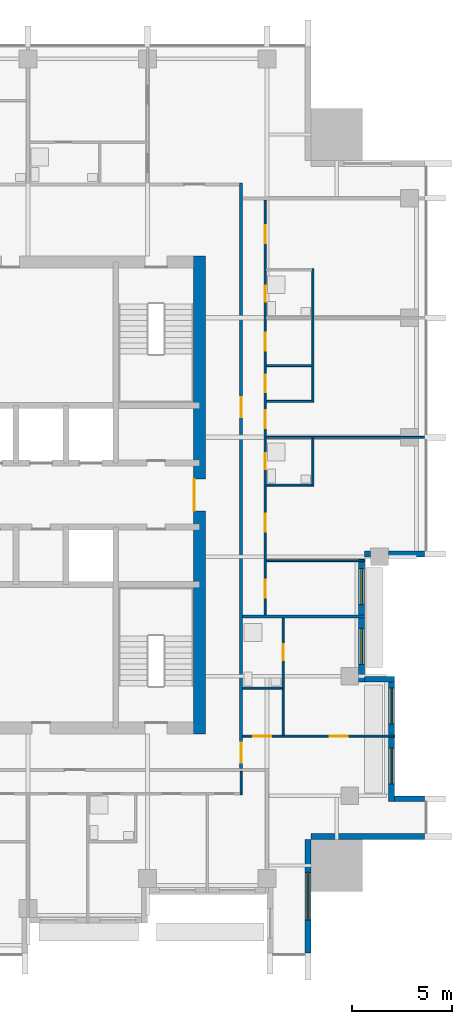
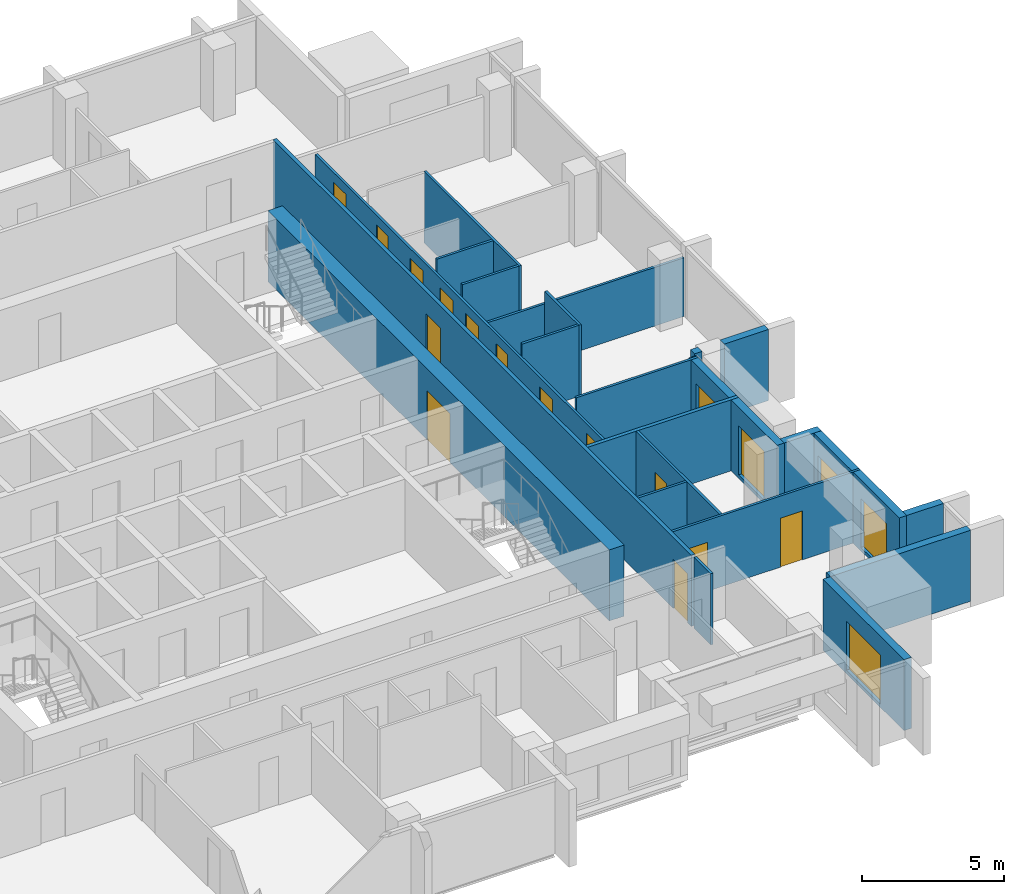
# One storey, part 6 of 10: 23 walls, 14 doors, 5 windows, 19 openings.
"""IFC4 building model written with IfcOpenShell, lengths in metres."""

import ifcopenshell
import ifcopenshell.guid

model = None  # the IFC model being written
_history = None  # IfcOwnerHistory: only IFC2X3 demands one
_inside = {}  # id of a spatial element -> (the spatial element, [elements in it])
_under = {}  # id of a project, library or spatial element -> (it, [spatial elements below it])
_declared = {}  # id of a project -> (the project, [libraries it declares])
_typed = {}  # id of a type object -> (the type object, [elements of that type])
_made_of = {}  # id of a material, layer set ... -> (it, [elements and type objects made of it])


def new_model(schema):
    """Start an empty IFC model of exactly this schema.

    Asked for "IFC4X3", IfcOpenShell would pick the latest addendum, in which some entities
    have other attributes; the version numbers below select the first issue.
    IFC2X3 requires an IfcOwnerHistory on every rooted entity: one is made here for all.
    """
    global model, _history
    if schema == "IFC4X3":
        model = ifcopenshell.file(schema_version=(4, 3, 0, 0))
    else:
        model = ifcopenshell.file(schema=schema)
    _inside.clear()
    _under.clear()
    _declared.clear()
    _typed.clear()
    _made_of.clear()
    _history = None
    if model.schema == "IFC2X3":
        org = make("IfcOrganization", Name="unknown")
        user = make(
            "IfcPersonAndOrganization",
            ThePerson=make("IfcPerson", FamilyName="unknown"),
            TheOrganization=org,
        )
        app = make(
            "IfcApplication",
            ApplicationDeveloper=org,
            Version="unknown",
            ApplicationFullName="unknown",
            ApplicationIdentifier="unknown",
        )
        _history = make(
            "IfcOwnerHistory",
            OwningUser=user,
            OwningApplication=app,
            ChangeAction="ADDED",
            CreationDate=0,
        )
    return model


def make(cls, **values):
    """One entity of the class cls with the attributes given. An attribute that is None is left unset."""
    return model.create_entity(
        cls, **{name: value for name, value in values.items() if value is not None}
    )


def rooted(cls, **values):
    """An entity with a GlobalId (a new one), such as an element, a storey or a relation."""
    return make(cls, GlobalId=ifcopenshell.guid.new(), OwnerHistory=_history, **values)


def si_unit(unit_type, name, prefix=None):
    """IfcSIUnit, for example si_unit("LENGTHUNIT", "METRE", prefix="MILLI")."""
    return make("IfcSIUnit", UnitType=unit_type, Prefix=prefix, Name=name)


def assignment(units):
    """IfcUnitAssignment: the units of a project."""
    return None if units is None else make("IfcUnitAssignment", Units=units)


def point(xyz):
    """IfcCartesianPoint."""
    return None if xyz is None else make("IfcCartesianPoint", Coordinates=xyz)


def direction(xyz):
    """IfcDirection."""
    return None if xyz is None else make("IfcDirection", DirectionRatios=xyz)


def frame(location, z_axis=None, x_axis=None):
    """IfcAxis2Placement3D, a coordinate frame: its origin and axes. An axis left out is left unset."""
    return make(
        "IfcAxis2Placement3D",
        Location=point(location),
        Axis=direction(z_axis),
        RefDirection=direction(x_axis),
    )


def frame_2d(location, x_axis=None):
    """IfcAxis2Placement2D, a coordinate frame in the plane: its origin and x axis."""
    return make(
        "IfcAxis2Placement2D", Location=point(location), RefDirection=direction(x_axis)
    )


def origin():
    """The frame at (0, 0, 0) with its axes left unset."""
    return frame((0.0, 0.0, 0.0))


def place(relative_to, where):
    """IfcLocalPlacement: puts the frame where relative to a parent placement (None: the world)."""
    return make(
        "IfcLocalPlacement", PlacementRelTo=relative_to, RelativePlacement=where
    )


def context(
    kind, dimensions, precision=None, world=None, true_north=None, identifier=None
):
    """IfcGeometricRepresentationContext, for example the 3D "Model" context."""
    return make(
        "IfcGeometricRepresentationContext",
        ContextIdentifier=identifier,
        ContextType=kind,
        CoordinateSpaceDimension=dimensions,
        Precision=precision,
        WorldCoordinateSystem=world,
        TrueNorth=true_north,
    )


def subcontext(parent, identifier, kind, view, scale=None):
    """IfcGeometricRepresentationSubContext, for example "Body" below "Model"."""
    return make(
        "IfcGeometricRepresentationSubContext",
        ContextIdentifier=identifier,
        ContextType=kind,
        ParentContext=parent,
        TargetScale=scale,
        TargetView=view,
    )


def project(units=None, contexts=None):
    """IfcProject with its units and contexts."""
    return rooted(
        "IfcProject",
        Name="project",
        RepresentationContexts=contexts,
        UnitsInContext=assignment(units),
    )


def spatial(cls, under=None, at=None, **own):
    """A site, building, storey or space (cls), placed at a placement, below another one or the project."""
    s = rooted(cls, ObjectPlacement=at, **own)
    if under is not None:
        _under.setdefault(under.id(), (under, []))[1].append(s)
    return s


def profile(cls, at=None, kind="AREA", **sizes):
    """A parametric profile (cls). Its sizes go by their IFC names, for example OverallWidth=200.0."""
    return make(cls, ProfileType=kind, Position=at, **sizes)


def rectangle(**sizes):
    """IfcRectangleProfileDef."""
    return profile("IfcRectangleProfileDef", **sizes)


def extrude(swept, where, along, depth):
    """IfcExtrudedAreaSolid: the profile swept, set in the frame where, extruded along a direction by depth."""
    return make(
        "IfcExtrudedAreaSolid",
        SweptArea=swept,
        Position=where,
        ExtrudedDirection=direction(along),
        Depth=depth,
    )


def shape(context_of_items, identifier, shape_type, items):
    """IfcShapeRepresentation: the items that make up one representation, for example the "Body"."""
    return make(
        "IfcShapeRepresentation",
        ContextOfItems=context_of_items,
        RepresentationIdentifier=identifier,
        RepresentationType=shape_type,
        Items=items,
    )


def material(Name=None, Category=None):
    """IfcMaterial."""
    return make("IfcMaterial", Name=Name, Category=Category)


def layer(
    of_material, thickness, ventilated=None, Name=None, Category=None, Priority=None
):
    """IfcMaterialLayer: one layer of a wall or slab, of a material (None: an air gap)."""
    return make(
        "IfcMaterialLayer",
        Material=of_material,
        LayerThickness=thickness,
        IsVentilated=ventilated,
        Name=Name,
        Category=Category,
        Priority=Priority,
    )


def layer_set(layers, Name=None):
    """IfcMaterialLayerSet."""
    return make("IfcMaterialLayerSet", MaterialLayers=layers, LayerSetName=Name)


def made_of(thing, what):
    """Note that an element or type object is made of a material, layer set ...; save() writes the relation."""
    if what is not None:
        _made_of.setdefault(what.id(), (what, []))[1].append(thing)
    return thing


def type_object(cls, material=None, **own):
    """A type object (cls), such as IfcWallType, which elements share."""
    return made_of(rooted(cls, **own), material)


def element(
    cls,
    number,
    at=None,
    inside=None,
    cuts=None,
    type_object=None,
    material=None,
    context=None,
    identifier="Body",
    shape_type=None,
    held_by="IfcProductDefinitionShape",
    body=None,
    shapes=None,
    **own,
):
    """One element of the class cls, such as IfcWall. Its Tag is "e" and its number.

    at: its placement. inside: the storey or other place that contains it. cuts: it is an
    opening in that element (IfcRelVoidsElement). A single representation is given by context,
    identifier, shape_type and body (its items); several are given by shapes. held_by: the class
    of the entity that holds the representations. save() writes the other relations.
    """
    e = rooted(cls, Tag="e%d" % number, ObjectPlacement=at, **own)
    if body is not None:
        shapes = [shape(context, identifier, shape_type, body)]
    if shapes is not None:
        e.Representation = make(held_by, Representations=shapes)
    if inside is not None:
        _inside.setdefault(inside.id(), (inside, []))[1].append(e)
    if cuts is not None:
        rooted(
            "IfcRelVoidsElement", RelatingBuildingElement=cuts, RelatedOpeningElement=e
        )
    if type_object is not None:
        _typed.setdefault(type_object.id(), (type_object, []))[1].append(e)
    return made_of(e, material)


def fill(opening, filler):
    """IfcRelFillsElement: the door or window that sits in an opening."""
    return rooted(
        "IfcRelFillsElement",
        RelatingOpeningElement=opening,
        RelatedBuildingElement=filler,
    )


def aggregate(whole, parts):
    """IfcRelAggregates: a whole, such as a stair, and the parts it consists of."""
    return rooted("IfcRelAggregates", RelatingObject=whole, RelatedObjects=parts)


def save(model, path):
    """Write the relations noted so far, then the file.

    IfcRelAggregates (storeys below a building ...), IfcRelContainedInSpatialStructure (elements
    in a storey), IfcRelDefinesByType, IfcRelAssociatesMaterial and IfcRelDeclares: one each for
    every whole, place, type object, material and project.
    """
    for whole, parts in _under.values():
        aggregate(whole, parts)
    for where, things in _inside.values():
        rooted(
            "IfcRelContainedInSpatialStructure",
            RelatedElements=things,
            RelatingStructure=where,
        )
    for kind, things in _typed.values():
        rooted("IfcRelDefinesByType", RelatedObjects=things, RelatingType=kind)
    for what, things in _made_of.values():
        rooted("IfcRelAssociatesMaterial", RelatedObjects=things, RelatingMaterial=what)
    for by, libraries in _declared.values():
        rooted("IfcRelDeclares", RelatingContext=by, RelatedDefinitions=libraries)
    model.write(path)


model = new_model("IFC4")

# Units and contexts
model_context = context("Model", 3, precision=1e-05, world=origin(), true_north=direction((0.0, 1.0)))
body_context = subcontext(model_context, "Body", "Model", "MODEL_VIEW")
ifc_project = project(units=[si_unit("LENGTHUNIT", "METRE"), si_unit("AREAUNIT", "SQUARE_METRE"), si_unit("VOLUMEUNIT", "CUBIC_METRE"), si_unit("PLANEANGLEUNIT", "RADIAN"), si_unit("MASSUNIT", "GRAM", prefix="KILO")], contexts=[model_context])

# Site, building, storey
site_placement = place(None, origin())
site = spatial("IfcSite", under=ifc_project, at=site_placement, CompositionType="ELEMENT")
building_placement = place(site_placement, origin())
building = spatial("IfcBuilding", under=site, at=building_placement, Name="Amberfall Residences", CompositionType="ELEMENT")
storey_placement = place(building_placement, frame((0.0, 0.0, 203.5)))
storey = spatial("IfcBuildingStorey", under=building, at=storey_placement, Name="L54", CompositionType="ELEMENT", Elevation=203.5)

# Wall, opening, window
ifc_material_1 = material(Name="Pale stone cladding on insulated backing", Category="masonry")
ifc_layer_1 = layer(ifc_material_1, 0.300048828125)
ifc_layer_set_1 = layer_set([ifc_layer_1], Name="Bronze clad wall 300")
wall_type_1 = type_object("IfcWallType", Name="Bronze clad wall 300", PredefinedType="SOLIDWALL", material=ifc_layer_set_1)
wall_1_placement = place(storey_placement, frame((91.64990234375, 22.5, 0.0), z_axis=(0.0, 0.0, 1.0), x_axis=(0.0, 1.0, 0.0)))
wall_1 = element("IfcWall", 1, at=wall_1_placement, inside=storey, type_object=wall_type_1, Name="External wall L54 SE", PredefinedType="SOLIDWALL", context=body_context, shape_type="SweptSolid", body=[
    extrude(rectangle(XDim=5.699951171875, YDim=0.300048828125, at=frame_2d((2.85009765625, 0.0))), origin(), (0.0, 0.0, 1.0), 3.050048828125),
])
opening_1_placement = place(wall_1_placement, frame((1.64990234375, 0.0, 0.14990234375)))
opening_1 = element("IfcOpeningElement", 2, at=opening_1_placement, cuts=wall_1, Name="Opening WN5", PredefinedType="OPENING", context=body_context, shape_type="SweptSolid", body=[
    extrude(rectangle(XDim=2.39990234375, YDim=2.10009765625, at=frame_2d((1.199951171875, 1.050048828125))), frame((0.0, 0.159912109375, 0.0), z_axis=(0.0, -1.0, 0.0), x_axis=(1.0, 0.0, 0.0)), (0.0, 0.0, 1.0), 0.320068359375),
])
ifc_material_2 = material(Name="Bronze aluminium framed glazing", Category="aluminium")
window_type_1 = type_object("IfcWindowType", Name="Glazed opening 2400 x 2100 bronze", PartitioningType="DOUBLE_PANEL_VERTICAL", PredefinedType="WINDOW", material=ifc_material_2)
window_1_placement = place(opening_1_placement, origin())
window_1 = element("IfcWindow", 3, at=window_1_placement, inside=storey, type_object=window_type_1, Name="Window L54 SE", OverallHeight=2.10009765625, OverallWidth=2.39990234375, PartitioningType="DOUBLE_PANEL_VERTICAL", PredefinedType="WINDOW", context=body_context, shape_type="SweptSolid", body=[
    extrude(rectangle(XDim=2.39990234375, YDim=2.10009765625, at=frame_2d((1.199951171875, 1.050048828125))), frame((0.0, 0.030029296875, 0.0), z_axis=(0.0, -1.0, 0.0), x_axis=(1.0, 0.0, 0.0)), (0.0, 0.0, 1.0), 0.06005859375),
])
fill(opening_1, window_1)

# Walls
wall_2_placement = place(storey_placement, frame((91.800048828125, 28.35009765625, 0.0), z_axis=(0.0, 0.0, 1.0), x_axis=(1.0, 0.0, 0.0)))
element("IfcWall", 4, at=wall_2_placement, inside=storey, type_object=wall_type_1, Name="External wall L54 SE", PredefinedType="SOLIDWALL", context=body_context, shape_type="SweptSolid", body=[
    extrude(rectangle(XDim=5.699951171875, YDim=0.300048828125, at=frame_2d((2.85009765625, 0.0))), origin(), (0.0, 0.0, 1.0), 3.050048828125),
])
for number, where, z_axis, x_axis, name in (
    (5, (97.5, 30.25, 0.0), (0.0, 0.0, 1.0), (-1.0, 0.0, 0.0), "External wall L54 E"),
    (6, (96.0, 36.25, 0.0), (0.0, 0.0, 1.0), (-1.0, 0.0, 0.0), "External wall L54 E"),
):
    element("IfcWall", number, at=place(storey_placement, frame(where, z_axis=z_axis, x_axis=x_axis)), inside=storey, type_object=wall_type_1, Name=name, PredefinedType="SOLIDWALL", context=body_context, shape_type="SweptSolid", body=[
        extrude(rectangle(XDim=1.5, YDim=0.300048828125, at=frame_2d((0.75, 0.0))), origin(), (0.0, 0.0, 1.0), 3.050048828125),
    ])
wall_3_placement = place(storey_placement, frame((94.5, 42.550048828125, 0.0), z_axis=(0.0, 0.0, 1.0), x_axis=(1.0, 0.0, 0.0)))
element("IfcWall", 7, at=wall_3_placement, inside=storey, type_object=wall_type_1, Name="External wall L54 E", PredefinedType="SOLIDWALL", context=body_context, shape_type="SweptSolid", body=[
    extrude(rectangle(XDim=0.300048828125, YDim=0.300048828125, at=frame_2d((0.14990234375, 0.0))), origin(), (0.0, 0.0, 1.0), 3.050048828125),
])
wall_4_placement = place(storey_placement, frame((95.699951171875, 42.550048828125, 0.0), z_axis=(0.0, 0.0, 1.0), x_axis=(1.0, 0.0, 0.0)))
element("IfcWall", 8, at=wall_4_placement, inside=storey, type_object=wall_type_1, Name="External wall L54 E", PredefinedType="SOLIDWALL", context=body_context, shape_type="SweptSolid", body=[
    extrude(rectangle(XDim=1.800048828125, YDim=0.300048828125, at=frame_2d((0.89990234375, 0.0))), origin(), (0.0, 0.0, 1.0), 3.050048828125),
])

# Wall, openings, windows
wall_5_placement = place(storey_placement, frame((95.85009765625, 30.10009765625, 0.0), z_axis=(0.0, 0.0, 1.0), x_axis=(0.0, 1.0, 0.0)))
wall_5 = element("IfcWall", 9, at=wall_5_placement, inside=storey, type_object=wall_type_1, Name="Stone wall L54 E", PredefinedType="SOLIDWALL", context=body_context, shape_type="SweptSolid", body=[
    extrude(rectangle(XDim=6.0, YDim=0.300048828125, at=frame_2d((3.0, 0.0))), origin(), (0.0, 0.0, 1.0), 3.050048828125),
])
opening_2_placement = place(wall_5_placement, frame((0.89990234375, 0.0, 0.14990234375)))
opening_2 = element("IfcOpeningElement", 10, at=opening_2_placement, cuts=wall_5, Name="Opening WN6", PredefinedType="OPENING", context=body_context, shape_type="SweptSolid", body=[
    extrude(rectangle(XDim=1.800048828125, YDim=2.10009765625, at=frame_2d((0.89990234375, 1.050048828125))), frame((0.0, 0.159912109375, 0.0), z_axis=(0.0, -1.0, 0.0), x_axis=(1.0, 0.0, 0.0)), (0.0, 0.0, 1.0), 0.320068359375),
])
opening_3_placement = place(wall_5_placement, frame((3.89990234375, 0.0, 0.14990234375)))
opening_3 = element("IfcOpeningElement", 11, at=opening_3_placement, cuts=wall_5, Name="Opening WN6", PredefinedType="OPENING", context=body_context, shape_type="SweptSolid", body=[
    extrude(rectangle(XDim=1.800048828125, YDim=2.10009765625, at=frame_2d((0.89990234375, 1.050048828125))), frame((0.0, 0.159912109375, 0.0), z_axis=(0.0, -1.0, 0.0), x_axis=(1.0, 0.0, 0.0)), (0.0, 0.0, 1.0), 0.320068359375),
])
window_type_2 = type_object("IfcWindowType", Name="Glazed opening 1800 x 2100 bronze", PartitioningType="DOUBLE_PANEL_VERTICAL", PredefinedType="WINDOW", material=ifc_material_2)
window_2_placement = place(opening_2_placement, origin())
window_2 = element("IfcWindow", 12, at=window_2_placement, inside=storey, type_object=window_type_2, Name="Window L54 E", OverallHeight=2.10009765625, OverallWidth=1.800048828125, PartitioningType="DOUBLE_PANEL_VERTICAL", PredefinedType="WINDOW", context=body_context, shape_type="SweptSolid", body=[
    extrude(rectangle(XDim=1.800048828125, YDim=2.10009765625, at=frame_2d((0.89990234375, 1.050048828125))), frame((0.0, 0.030029296875, 0.0), z_axis=(0.0, -1.0, 0.0), x_axis=(1.0, 0.0, 0.0)), (0.0, 0.0, 1.0), 0.06005859375),
])
fill(opening_2, window_2)
window_3_placement = place(opening_3_placement, origin())
window_3 = element("IfcWindow", 13, at=window_3_placement, inside=storey, type_object=window_type_2, Name="Window L54 E", OverallHeight=2.10009765625, OverallWidth=1.800048828125, PartitioningType="DOUBLE_PANEL_VERTICAL", PredefinedType="WINDOW", context=body_context, shape_type="SweptSolid", body=[
    extrude(rectangle(XDim=1.800048828125, YDim=2.10009765625, at=frame_2d((0.89990234375, 1.050048828125))), frame((0.0, 0.030029296875, 0.0), z_axis=(0.0, -1.0, 0.0), x_axis=(1.0, 0.0, 0.0)), (0.0, 0.0, 1.0), 0.06005859375),
])
fill(opening_3, window_3)

wall_6_placement = place(storey_placement, frame((94.35009765625, 36.10009765625, 0.0), z_axis=(0.0, 0.0, 1.0), x_axis=(0.0, 1.0, 0.0)))
wall_6 = element("IfcWall", 14, at=wall_6_placement, inside=storey, type_object=wall_type_1, Name="Stone wall L54 E", PredefinedType="SOLIDWALL", context=body_context, shape_type="SweptSolid", body=[
    extrude(rectangle(XDim=6.199951171875, YDim=0.300048828125, at=frame_2d((3.10009765625, 0.0))), origin(), (0.0, 0.0, 1.0), 3.050048828125),
])
opening_4_placement = place(wall_6_placement, frame((0.89990234375, 0.0, 0.14990234375)))
opening_4 = element("IfcOpeningElement", 15, at=opening_4_placement, cuts=wall_6, Name="Opening WN6", PredefinedType="OPENING", context=body_context, shape_type="SweptSolid", body=[
    extrude(rectangle(XDim=1.800048828125, YDim=2.10009765625, at=frame_2d((0.89990234375, 1.050048828125))), frame((0.0, 0.159912109375, 0.0), z_axis=(0.0, -1.0, 0.0), x_axis=(1.0, 0.0, 0.0)), (0.0, 0.0, 1.0), 0.320068359375),
])
opening_5_placement = place(wall_6_placement, frame((3.89990234375, 0.0, 0.14990234375)))
opening_5 = element("IfcOpeningElement", 16, at=opening_5_placement, cuts=wall_6, Name="Opening WN6", PredefinedType="OPENING", context=body_context, shape_type="SweptSolid", body=[
    extrude(rectangle(XDim=1.800048828125, YDim=2.10009765625, at=frame_2d((0.89990234375, 1.050048828125))), frame((0.0, 0.159912109375, 0.0), z_axis=(0.0, -1.0, 0.0), x_axis=(1.0, 0.0, 0.0)), (0.0, 0.0, 1.0), 0.320068359375),
])
window_4_placement = place(opening_4_placement, origin())
window_4 = element("IfcWindow", 17, at=window_4_placement, inside=storey, type_object=window_type_2, Name="Window L54 E", OverallHeight=2.10009765625, OverallWidth=1.800048828125, PartitioningType="DOUBLE_PANEL_VERTICAL", PredefinedType="WINDOW", context=body_context, shape_type="SweptSolid", body=[
    extrude(rectangle(XDim=1.800048828125, YDim=2.10009765625, at=frame_2d((0.89990234375, 1.050048828125))), frame((0.0, 0.030029296875, 0.0), z_axis=(0.0, -1.0, 0.0), x_axis=(1.0, 0.0, 0.0)), (0.0, 0.0, 1.0), 0.06005859375),
])
fill(opening_4, window_4)
window_5_placement = place(opening_5_placement, origin())
window_5 = element("IfcWindow", 18, at=window_5_placement, inside=storey, type_object=window_type_2, Name="Window L54 E", OverallHeight=2.10009765625, OverallWidth=1.800048828125, PartitioningType="DOUBLE_PANEL_VERTICAL", PredefinedType="WINDOW", context=body_context, shape_type="SweptSolid", body=[
    extrude(rectangle(XDim=1.800048828125, YDim=2.10009765625, at=frame_2d((0.89990234375, 1.050048828125))), frame((0.0, 0.030029296875, 0.0), z_axis=(0.0, -1.0, 0.0), x_axis=(1.0, 0.0, 0.0)), (0.0, 0.0, 1.0), 0.06005859375),
])
fill(opening_5, window_5)

# Wall, opening, door
ifc_material_3 = material(Name="Concrete C55", Category="concrete")
ifc_layer_2 = layer(ifc_material_3, 0.60009765625)
ifc_layer_set_2 = layer_set([ifc_layer_2], Name="Core wall 600 C55")
wall_type_2 = type_object("IfcWallType", Name="Core wall 600 C55", PredefinedType="SHEAR", material=ifc_layer_set_2)
wall_7_placement = place(storey_placement, frame((86.199951171875, 33.5, 0.0), z_axis=(0.0, 0.0, 1.0), x_axis=(0.0, 1.0, 0.0)))
wall_7 = element("IfcWall", 19, at=wall_7_placement, inside=storey, type_object=wall_type_2, Name="Core wall RW7 L54 OE", PredefinedType="SHEAR", context=body_context, shape_type="SweptSolid", body=[
    extrude(rectangle(XDim=24.0, YDim=0.60009765625, at=frame_2d((12.0, 0.0))), origin(), (0.0, 0.0, 1.0), 3.050048828125),
])
opening_6_placement = place(wall_7_placement, frame((11.199951171875, 0.0, 0.0)))
opening_6 = element("IfcOpeningElement", 20, at=opening_6_placement, cuts=wall_7, Name="Opening LB1", PredefinedType="OPENING", context=body_context, shape_type="SweptSolid", body=[
    extrude(rectangle(XDim=1.60009765625, YDim=2.10009765625, at=frame_2d((0.800048828125, 1.050048828125))), frame((0.0, 0.31005859375, 0.0), z_axis=(0.0, -1.0, 0.0), x_axis=(1.0, 0.0, 0.0)), (0.0, 0.0, 1.0), 0.6201171875),
])
ifc_material_4 = material(Name="Steel fire door set", Category="steel")
door_type_1 = type_object("IfcDoorType", Name="Lift lobby double door 1600 x 2100", OperationType="DOUBLE_DOOR_SINGLE_SWING", PredefinedType="DOOR", material=ifc_material_4)
door_1_placement = place(opening_6_placement, origin())
door_1 = element("IfcDoor", 21, at=door_1_placement, inside=storey, type_object=door_type_1, Name="LB1 L54", OperationType="DOUBLE_DOOR_SINGLE_SWING", OverallHeight=2.10009765625, OverallWidth=1.60009765625, PredefinedType="DOOR", context=body_context, shape_type="SweptSolid", body=[
    extrude(rectangle(XDim=1.60009765625, YDim=2.10009765625, at=frame_2d((0.800048828125, 1.050048828125))), frame((0.0, 0.28759765625, 0.0), z_axis=(0.0, -1.0, 0.0), x_axis=(1.0, 0.0, 0.0)), (0.0, 0.0, 1.0), 0.050048828125),
])
fill(opening_6, door_1)

# Wall
ifc_material_5 = material(Name="Gypsum board on metal stud")
ifc_layer_3 = layer(ifc_material_5, 0.10009765625)
ifc_layer_set_3 = layer_set([ifc_layer_3], Name="Flat partition 100")
wall_type_3 = type_object("IfcWallType", Name="Flat partition 100", PredefinedType="PARTITIONING", material=ifc_layer_set_3)
wall_8_placement = place(storey_placement, frame((88.300048828125, 30.449951171875, 0.0), z_axis=(0.0, 0.0, 1.0), x_axis=(0.0, 1.0, 0.0)))
element("IfcWall", 22, at=wall_8_placement, inside=storey, type_object=wall_type_3, Name="Partition 020", PredefinedType="PARTITIONING", context=body_context, shape_type="SweptSolid", body=[
    extrude(rectangle(XDim=1.175048828125, YDim=0.10009765625, at=frame_2d((0.58740234375, 0.0))), origin(), (0.0, 0.0, 1.0), 3.050048828125),
])

# Wall, openings, doors
wall_9_placement = place(storey_placement, frame((89.5, 60.324951171875, 0.0), z_axis=(0.0, 0.0, 1.0), x_axis=(0.0, -1.0, 0.0)))
wall_9 = element("IfcWall", 23, at=wall_9_placement, inside=storey, type_object=wall_type_3, Name="Partition 021", PredefinedType="PARTITIONING", context=body_context, shape_type="SweptSolid", body=[
    extrude(rectangle(XDim=20.849853515625, YDim=0.10009765625, at=frame_2d((10.4248046875, 0.0))), origin(), (0.0, 0.0, 1.0), 2.510009765625),
])
opening_7_placement = place(wall_9_placement, frame((10.574951171875, 0.0, 0.0)))
opening_7 = element("IfcOpeningElement", 24, at=opening_7_placement, cuts=wall_9, Name="Opening D41", PredefinedType="OPENING", context=body_context, shape_type="SweptSolid", body=[
    extrude(rectangle(XDim=0.89990234375, YDim=2.10009765625, at=frame_2d((0.449951171875, 1.050048828125))), frame((0.0, 0.06005859375, 0.0), z_axis=(0.0, -1.0, 0.0), x_axis=(1.0, 0.0, 0.0)), (0.0, 0.0, 1.0), 0.1201171875),
])
opening_8_placement = place(wall_9_placement, frame((6.675048828125, 0.0, 0.0)))
opening_8 = element("IfcOpeningElement", 25, at=opening_8_placement, cuts=wall_9, Name="Opening D41", PredefinedType="OPENING", context=body_context, shape_type="SweptSolid", body=[
    extrude(rectangle(XDim=0.89990234375, YDim=2.10009765625, at=frame_2d((0.449951171875, 1.050048828125))), frame((0.0, 0.06005859375, 0.0), z_axis=(0.0, -1.0, 0.0), x_axis=(1.0, 0.0, 0.0)), (0.0, 0.0, 1.0), 0.1201171875),
])
opening_9_placement = place(wall_9_placement, frame((8.77490234375, 0.0, 0.0)))
opening_9 = element("IfcOpeningElement", 26, at=opening_9_placement, cuts=wall_9, Name="Opening D41", PredefinedType="OPENING", context=body_context, shape_type="SweptSolid", body=[
    extrude(rectangle(XDim=0.89990234375, YDim=2.10009765625, at=frame_2d((0.449951171875, 1.050048828125))), frame((0.0, 0.06005859375, 0.0), z_axis=(0.0, -1.0, 0.0), x_axis=(1.0, 0.0, 0.0)), (0.0, 0.0, 1.0), 0.1201171875),
])
opening_10_placement = place(wall_9_placement, frame((19.074951171875, 0.0, 0.0)))
opening_10 = element("IfcOpeningElement", 27, at=opening_10_placement, cuts=wall_9, Name="Opening D41", PredefinedType="OPENING", context=body_context, shape_type="SweptSolid", body=[
    extrude(rectangle(XDim=0.89990234375, YDim=2.10009765625, at=frame_2d((0.449951171875, 1.050048828125))), frame((0.0, 0.06005859375, 0.0), z_axis=(0.0, -1.0, 0.0), x_axis=(1.0, 0.0, 0.0)), (0.0, 0.0, 1.0), 0.1201171875),
])
opening_11_placement = place(wall_9_placement, frame((15.77490234375, 0.0, 0.0)))
opening_11 = element("IfcOpeningElement", 28, at=opening_11_placement, cuts=wall_9, Name="Opening D41", PredefinedType="OPENING", context=body_context, shape_type="SweptSolid", body=[
    extrude(rectangle(XDim=0.89990234375, YDim=2.10009765625, at=frame_2d((0.449951171875, 1.050048828125))), frame((0.0, 0.06005859375, 0.0), z_axis=(0.0, -1.0, 0.0), x_axis=(1.0, 0.0, 0.0)), (0.0, 0.0, 1.0), 0.1201171875),
])
opening_12_placement = place(wall_9_placement, frame((1.27490234375, 0.0, 0.0)))
opening_12 = element("IfcOpeningElement", 29, at=opening_12_placement, cuts=wall_9, Name="Opening D41", PredefinedType="OPENING", context=body_context, shape_type="SweptSolid", body=[
    extrude(rectangle(XDim=0.89990234375, YDim=2.10009765625, at=frame_2d((0.449951171875, 1.050048828125))), frame((0.0, 0.06005859375, 0.0), z_axis=(0.0, -1.0, 0.0), x_axis=(1.0, 0.0, 0.0)), (0.0, 0.0, 1.0), 0.1201171875),
])
opening_13_placement = place(wall_9_placement, frame((12.72509765625, 0.0, 0.0)))
opening_13 = element("IfcOpeningElement", 30, at=opening_13_placement, cuts=wall_9, Name="Opening D42", PredefinedType="OPENING", context=body_context, shape_type="SweptSolid", body=[
    extrude(rectangle(XDim=0.800048828125, YDim=2.10009765625, at=frame_2d((0.39990234375, 1.050048828125))), frame((0.0, 0.06005859375, 0.0), z_axis=(0.0, -1.0, 0.0), x_axis=(1.0, 0.0, 0.0)), (0.0, 0.0, 1.0), 0.1201171875),
])
opening_14_placement = place(wall_9_placement, frame((4.324951171875, 0.0, 0.0)))
opening_14 = element("IfcOpeningElement", 31, at=opening_14_placement, cuts=wall_9, Name="Opening D42", PredefinedType="OPENING", context=body_context, shape_type="SweptSolid", body=[
    extrude(rectangle(XDim=0.800048828125, YDim=2.10009765625, at=frame_2d((0.39990234375, 1.050048828125))), frame((0.0, 0.06005859375, 0.0), z_axis=(0.0, -1.0, 0.0), x_axis=(1.0, 0.0, 0.0)), (0.0, 0.0, 1.0), 0.1201171875),
])
ifc_material_6 = material(Name="Timber", Category="wood")
door_type_2 = type_object("IfcDoorType", Name="Bathroom door 800 x 2100", OperationType="SINGLE_SWING_LEFT", PredefinedType="DOOR", material=ifc_material_6)
door_2_placement = place(opening_13_placement, origin())
door_2 = element("IfcDoor", 32, at=door_2_placement, inside=storey, type_object=door_type_2, Name="Door 5404 bath1", OperationType="SINGLE_SWING_LEFT", OverallHeight=2.10009765625, OverallWidth=0.800048828125, PredefinedType="DOOR", context=body_context, shape_type="SweptSolid", body=[
    extrude(rectangle(XDim=0.800048828125, YDim=2.10009765625, at=frame_2d((0.39990234375, 1.050048828125))), frame((0.0, 0.02490234375, 0.0), z_axis=(0.0, -1.0, 0.0), x_axis=(1.0, 0.0, 0.0)), (0.0, 0.0, 1.0), 0.050048828125),
])
fill(opening_13, door_2)
door_3_placement = place(opening_14_placement, origin())
door_3 = element("IfcDoor", 33, at=door_3_placement, inside=storey, type_object=door_type_2, Name="Door 5404 bath2", OperationType="SINGLE_SWING_LEFT", OverallHeight=2.10009765625, OverallWidth=0.800048828125, PredefinedType="DOOR", context=body_context, shape_type="SweptSolid", body=[
    extrude(rectangle(XDim=0.800048828125, YDim=2.10009765625, at=frame_2d((0.39990234375, 1.050048828125))), frame((0.0, 0.02490234375, 0.0), z_axis=(0.0, -1.0, 0.0), x_axis=(1.0, 0.0, 0.0)), (0.0, 0.0, 1.0), 0.050048828125),
])
fill(opening_14, door_3)
door_type_3 = type_object("IfcDoorType", Name="Internal door 900 x 2100", OperationType="SINGLE_SWING_LEFT", PredefinedType="DOOR", material=ifc_material_6)
door_4_placement = place(opening_7_placement, origin())
door_4 = element("IfcDoor", 34, at=door_4_placement, inside=storey, type_object=door_type_3, Name="Door 5404 living", OperationType="SINGLE_SWING_LEFT", OverallHeight=2.10009765625, OverallWidth=0.89990234375, PredefinedType="DOOR", context=body_context, shape_type="SweptSolid", body=[
    extrude(rectangle(XDim=0.89990234375, YDim=2.10009765625, at=frame_2d((0.449951171875, 1.050048828125))), frame((0.0, 0.02490234375, 0.0), z_axis=(0.0, -1.0, 0.0), x_axis=(1.0, 0.0, 0.0)), (0.0, 0.0, 1.0), 0.050048828125),
])
fill(opening_7, door_4)
door_5_placement = place(opening_8_placement, origin())
door_5 = element("IfcDoor", 35, at=door_5_placement, inside=storey, type_object=door_type_3, Name="Door 5404 kitchen", OperationType="SINGLE_SWING_LEFT", OverallHeight=2.10009765625, OverallWidth=0.89990234375, PredefinedType="DOOR", context=body_context, shape_type="SweptSolid", body=[
    extrude(rectangle(XDim=0.89990234375, YDim=2.10009765625, at=frame_2d((0.449951171875, 1.050048828125))), frame((0.0, 0.02490234375, 0.0), z_axis=(0.0, -1.0, 0.0), x_axis=(1.0, 0.0, 0.0)), (0.0, 0.0, 1.0), 0.050048828125),
])
fill(opening_8, door_5)
door_6_placement = place(opening_9_placement, origin())
door_6 = element("IfcDoor", 36, at=door_6_placement, inside=storey, type_object=door_type_3, Name="Door 5404 utility", OperationType="SINGLE_SWING_LEFT", OverallHeight=2.10009765625, OverallWidth=0.89990234375, PredefinedType="DOOR", context=body_context, shape_type="SweptSolid", body=[
    extrude(rectangle(XDim=0.89990234375, YDim=2.10009765625, at=frame_2d((0.449951171875, 1.050048828125))), frame((0.0, 0.02490234375, 0.0), z_axis=(0.0, -1.0, 0.0), x_axis=(1.0, 0.0, 0.0)), (0.0, 0.0, 1.0), 0.050048828125),
])
fill(opening_9, door_6)
door_7_placement = place(opening_10_placement, origin())
door_7 = element("IfcDoor", 37, at=door_7_placement, inside=storey, type_object=door_type_3, Name="Door 5404 bedroom1", OperationType="SINGLE_SWING_LEFT", OverallHeight=2.10009765625, OverallWidth=0.89990234375, PredefinedType="DOOR", context=body_context, shape_type="SweptSolid", body=[
    extrude(rectangle(XDim=0.89990234375, YDim=2.10009765625, at=frame_2d((0.449951171875, 1.050048828125))), frame((0.0, 0.02490234375, 0.0), z_axis=(0.0, -1.0, 0.0), x_axis=(1.0, 0.0, 0.0)), (0.0, 0.0, 1.0), 0.050048828125),
])
fill(opening_10, door_7)
door_8_placement = place(opening_11_placement, origin())
door_8 = element("IfcDoor", 38, at=door_8_placement, inside=storey, type_object=door_type_3, Name="Door 5404 bedroom2", OperationType="SINGLE_SWING_LEFT", OverallHeight=2.10009765625, OverallWidth=0.89990234375, PredefinedType="DOOR", context=body_context, shape_type="SweptSolid", body=[
    extrude(rectangle(XDim=0.89990234375, YDim=2.10009765625, at=frame_2d((0.449951171875, 1.050048828125))), frame((0.0, 0.02490234375, 0.0), z_axis=(0.0, -1.0, 0.0), x_axis=(1.0, 0.0, 0.0)), (0.0, 0.0, 1.0), 0.050048828125),
])
fill(opening_11, door_8)
door_9_placement = place(opening_12_placement, origin())
door_9 = element("IfcDoor", 39, at=door_9_placement, inside=storey, type_object=door_type_3, Name="Door 5404 bedroom3", OperationType="SINGLE_SWING_LEFT", OverallHeight=2.10009765625, OverallWidth=0.89990234375, PredefinedType="DOOR", context=body_context, shape_type="SweptSolid", body=[
    extrude(rectangle(XDim=0.89990234375, YDim=2.10009765625, at=frame_2d((0.449951171875, 1.050048828125))), frame((0.0, 0.02490234375, 0.0), z_axis=(0.0, -1.0, 0.0), x_axis=(1.0, 0.0, 0.0)), (0.0, 0.0, 1.0), 0.050048828125),
])
fill(opening_12, door_9)

# Wall, opening, door
wall_10_placement = place(storey_placement, frame((90.39990234375, 33.449951171875, 0.0), z_axis=(0.0, 0.0, 1.0), x_axis=(0.0, 1.0, 0.0)))
wall_10 = element("IfcWall", 40, at=wall_10_placement, inside=storey, type_object=wall_type_3, Name="Partition 022", PredefinedType="PARTITIONING", context=body_context, shape_type="SweptSolid", body=[
    extrude(rectangle(XDim=5.875, YDim=0.10009765625, at=frame_2d((2.9375, 0.0))), origin(), (0.0, 0.0, 1.0), 3.050048828125),
])
opening_15_placement = place(wall_10_placement, frame((3.75, 0.0, 0.0)))
opening_15 = element("IfcOpeningElement", 41, at=opening_15_placement, cuts=wall_10, Name="Opening D42", PredefinedType="OPENING", context=body_context, shape_type="SweptSolid", body=[
    extrude(rectangle(XDim=0.800048828125, YDim=2.10009765625, at=frame_2d((0.39990234375, 1.050048828125))), frame((0.0, 0.06005859375, 0.0), z_axis=(0.0, -1.0, 0.0), x_axis=(1.0, 0.0, 0.0)), (0.0, 0.0, 1.0), 0.1201171875),
])
door_10_placement = place(opening_15_placement, origin())
door_10 = element("IfcDoor", 42, at=door_10_placement, inside=storey, type_object=door_type_2, Name="Door 5403 bath1", OperationType="SINGLE_SWING_LEFT", OverallHeight=2.10009765625, OverallWidth=0.800048828125, PredefinedType="DOOR", context=body_context, shape_type="SweptSolid", body=[
    extrude(rectangle(XDim=0.800048828125, YDim=2.10009765625, at=frame_2d((0.39990234375, 1.050048828125))), frame((0.0, 0.02490234375, 0.0), z_axis=(0.0, -1.0, 0.0), x_axis=(1.0, 0.0, 0.0)), (0.0, 0.0, 1.0), 0.050048828125),
])
fill(opening_15, door_10)

# Walls
wall_11_placement = place(storey_placement, frame((91.89990234375, 45.949951171875, 0.0), z_axis=(0.0, 0.0, 1.0), x_axis=(0.0, 1.0, 0.0)))
element("IfcWall", 43, at=wall_11_placement, inside=storey, type_object=wall_type_3, Name="Partition 023", PredefinedType="PARTITIONING", context=body_context, shape_type="SweptSolid", body=[
    extrude(rectangle(XDim=2.400146484375, YDim=0.10009765625, at=frame_2d((1.2001953125, 0.0))), origin(), (0.0, 0.0, 1.0), 3.050048828125),
])
wall_12_placement = place(storey_placement, frame((91.89990234375, 50.14990234375, 0.0), z_axis=(0.0, 0.0, 1.0), x_axis=(0.0, 1.0, 0.0)))
element("IfcWall", 44, at=wall_12_placement, inside=storey, type_object=wall_type_3, Name="Partition 024", PredefinedType="PARTITIONING", context=body_context, shape_type="SweptSolid", body=[
    extrude(rectangle(XDim=6.7001953125, YDim=0.10009765625, at=frame_2d((3.35009765625, 0.0))), origin(), (0.0, 0.0, 1.0), 3.050048828125),
])
for number, where, z_axis, x_axis, name in (
    (45, (89.550048828125, 52.0, 0.0), (0.0, 0.0, 1.0), (1.0, 0.0, 0.0), "Partition 033"),
    (46, (89.550048828125, 50.199951171875, 0.0), (0.0, 0.0, 1.0), (1.0, 0.0, 0.0), "Partition 034"),
):
    element("IfcWall", number, at=place(storey_placement, frame(where, z_axis=z_axis, x_axis=x_axis)), inside=storey, type_object=wall_type_3, Name=name, PredefinedType="PARTITIONING", context=body_context, shape_type="SweptSolid", body=[
        extrude(rectangle(XDim=2.300048828125, YDim=0.10009765625, at=frame_2d((1.14990234375, 0.0))), origin(), (0.0, 0.0, 1.0), 3.050048828125),
    ])
wall_13_placement = place(storey_placement, frame((89.550048828125, 48.39990234375, 0.0), z_axis=(0.0, 0.0, 1.0), x_axis=(1.0, 0.0, 0.0)))
element("IfcWall", 47, at=wall_13_placement, inside=storey, type_object=wall_type_3, Name="Partition 035", PredefinedType="PARTITIONING", context=body_context, shape_type="SweptSolid", body=[
    extrude(rectangle(XDim=7.949951171875, YDim=0.10009765625, at=frame_2d((3.97509765625, 0.0))), origin(), (0.0, 0.0, 1.0), 2.51611328125),
])
wall_14_placement = place(storey_placement, frame((89.550048828125, 46.0, 0.0), z_axis=(0.0, 0.0, 1.0), x_axis=(1.0, 0.0, 0.0)))
element("IfcWall", 48, at=wall_14_placement, inside=storey, type_object=wall_type_3, Name="Partition 036", PredefinedType="PARTITIONING", context=body_context, shape_type="SweptSolid", body=[
    extrude(rectangle(XDim=2.300048828125, YDim=0.10009765625, at=frame_2d((1.14990234375, 0.0))), origin(), (0.0, 0.0, 1.0), 3.050048828125),
])
wall_15_placement = place(storey_placement, frame((89.550048828125, 42.199951171875, 0.0), z_axis=(0.0, 0.0, 1.0), x_axis=(1.0, 0.0, 0.0)))
element("IfcWall", 49, at=wall_15_placement, inside=storey, type_object=wall_type_3, Name="Partition 039", PredefinedType="PARTITIONING", context=body_context, shape_type="SweptSolid", body=[
    extrude(rectangle(XDim=4.949951171875, YDim=0.10009765625, at=frame_2d((2.47509765625, 0.0))), origin(), (0.0, 0.0, 1.0), 3.050048828125),
])
wall_16_placement = place(storey_placement, frame((88.375, 35.800048828125, 0.0), z_axis=(0.0, 0.0, 1.0), x_axis=(1.0, 0.0, 0.0)))
element("IfcWall", 50, at=wall_16_placement, inside=storey, type_object=wall_type_3, Name="Partition 042", PredefinedType="PARTITIONING", context=body_context, shape_type="SweptSolid", body=[
    extrude(rectangle(XDim=1.97509765625, YDim=0.10009765625, at=frame_2d((0.987548828125, 0.0))), origin(), (0.0, 0.0, 1.0), 3.050048828125),
])

# Wall, openings, doors
wall_17_placement = place(storey_placement, frame((88.375, 33.39990234375, 0.0), z_axis=(0.0, 0.0, 1.0), x_axis=(1.0, 0.0, 0.0)))
wall_17 = element("IfcWall", 51, at=wall_17_placement, inside=storey, type_object=wall_type_3, Name="Partition 043", PredefinedType="PARTITIONING", context=body_context, shape_type="SweptSolid", body=[
    extrude(rectangle(XDim=7.625, YDim=0.10009765625, at=frame_2d((3.8125, 0.0))), origin(), (0.0, 0.0, 1.0), 3.050048828125),
])
opening_16_placement = place(wall_17_placement, frame((0.52490234375, 0.0, 0.0)))
opening_16 = element("IfcOpeningElement", 52, at=opening_16_placement, cuts=wall_17, Name="Opening D41", PredefinedType="OPENING", context=body_context, shape_type="SweptSolid", body=[
    extrude(rectangle(XDim=0.89990234375, YDim=2.10009765625, at=frame_2d((0.449951171875, 1.050048828125))), frame((0.0, 0.06005859375, 0.0), z_axis=(0.0, -1.0, 0.0), x_axis=(1.0, 0.0, 0.0)), (0.0, 0.0, 1.0), 0.1201171875),
])
opening_17_placement = place(wall_17_placement, frame((4.375, 0.0, 0.0)))
opening_17 = element("IfcOpeningElement", 53, at=opening_17_placement, cuts=wall_17, Name="Opening D41", PredefinedType="OPENING", context=body_context, shape_type="SweptSolid", body=[
    extrude(rectangle(XDim=0.89990234375, YDim=2.10009765625, at=frame_2d((0.449951171875, 1.050048828125))), frame((0.0, 0.06005859375, 0.0), z_axis=(0.0, -1.0, 0.0), x_axis=(1.0, 0.0, 0.0)), (0.0, 0.0, 1.0), 0.1201171875),
])
door_11_placement = place(opening_16_placement, origin())
door_11 = element("IfcDoor", 54, at=door_11_placement, inside=storey, type_object=door_type_3, Name="Door 5403 kitchen", OperationType="SINGLE_SWING_LEFT", OverallHeight=2.10009765625, OverallWidth=0.89990234375, PredefinedType="DOOR", context=body_context, shape_type="SweptSolid", body=[
    extrude(rectangle(XDim=0.89990234375, YDim=2.10009765625, at=frame_2d((0.449951171875, 1.050048828125))), frame((0.0, 0.02490234375, 0.0), z_axis=(0.0, -1.0, 0.0), x_axis=(1.0, 0.0, 0.0)), (0.0, 0.0, 1.0), 0.050048828125),
])
fill(opening_16, door_11)
door_12_placement = place(opening_17_placement, origin())
door_12 = element("IfcDoor", 55, at=door_12_placement, inside=storey, type_object=door_type_3, Name="Door 5403 bedroom1", OperationType="SINGLE_SWING_LEFT", OverallHeight=2.10009765625, OverallWidth=0.89990234375, PredefinedType="DOOR", context=body_context, shape_type="SweptSolid", body=[
    extrude(rectangle(XDim=0.89990234375, YDim=2.10009765625, at=frame_2d((0.449951171875, 1.050048828125))), frame((0.0, 0.02490234375, 0.0), z_axis=(0.0, -1.0, 0.0), x_axis=(1.0, 0.0, 0.0)), (0.0, 0.0, 1.0), 0.050048828125),
])
fill(opening_17, door_12)

ifc_material_7 = material(Name="Blockwork, plastered", Category="masonry")
ifc_layer_4 = layer(ifc_material_7, 0.14990234375)
ifc_layer_set_4 = layer_set([ifc_layer_4], Name="Flat separating wall 150")
wall_type_4 = type_object("IfcWallType", Name="Flat separating wall 150", PredefinedType="PARTITIONING", material=ifc_layer_set_4)
wall_18_placement = place(storey_placement, frame((88.300048828125, 61.175048828125, 0.0), z_axis=(0.0, 0.0, 1.0), x_axis=(0.0, -1.0, 0.0)))
wall_18 = element("IfcWall", 56, at=wall_18_placement, inside=storey, type_object=wall_type_4, Name="Separating wall 053", PredefinedType="PARTITIONING", context=body_context, shape_type="SweptSolid", body=[
    extrude(rectangle(XDim=29.400146484375, YDim=0.14990234375, at=frame_2d((14.7001953125, 0.0))), origin(), (0.0, 0.0, 1.0), 3.050048828125),
])
opening_18_placement = place(wall_18_placement, frame((28.125, 0.0, 0.0)))
opening_18 = element("IfcOpeningElement", 57, at=opening_18_placement, cuts=wall_18, Name="Opening D40", PredefinedType="OPENING", context=body_context, shape_type="SweptSolid", body=[
    extrude(rectangle(XDim=1.0, YDim=2.10009765625, at=frame_2d((0.5, 1.050048828125))), frame((0.0, 0.0849609375, 0.0), z_axis=(0.0, -1.0, 0.0), x_axis=(1.0, 0.0, 0.0)), (0.0, 0.0, 1.0), 0.169921875),
])
opening_19_placement = place(wall_18_placement, frame((10.77490234375, 0.0, 0.0)))
opening_19 = element("IfcOpeningElement", 58, at=opening_19_placement, cuts=wall_18, Name="Opening D40", PredefinedType="OPENING", context=body_context, shape_type="SweptSolid", body=[
    extrude(rectangle(XDim=1.0, YDim=2.10009765625, at=frame_2d((0.5, 1.050048828125))), frame((0.0, 0.0849609375, 0.0), z_axis=(0.0, -1.0, 0.0), x_axis=(1.0, 0.0, 0.0)), (0.0, 0.0, 1.0), 0.169921875),
])
ifc_material_8 = material(Name="Timber, fire-rated", Category="wood")
door_type_4 = type_object("IfcDoorType", Name="Flat entrance door FD60 1000 x 2100", OperationType="SINGLE_SWING_LEFT", PredefinedType="DOOR", material=ifc_material_8)
door_13_placement = place(opening_18_placement, origin())
door_13 = element("IfcDoor", 59, at=door_13_placement, inside=storey, type_object=door_type_4, Name="Door 5403 entrance", OperationType="SINGLE_SWING_LEFT", OverallHeight=2.10009765625, OverallWidth=1.0, PredefinedType="DOOR", context=body_context, shape_type="SweptSolid", body=[
    extrude(rectangle(XDim=1.0, YDim=2.10009765625, at=frame_2d((0.5, 1.050048828125))), frame((0.0, 0.02490234375, 0.0), z_axis=(0.0, -1.0, 0.0), x_axis=(1.0, 0.0, 0.0)), (0.0, 0.0, 1.0), 0.050048828125),
])
fill(opening_18, door_13)
door_14_placement = place(opening_19_placement, origin())
door_14 = element("IfcDoor", 60, at=door_14_placement, inside=storey, type_object=door_type_4, Name="Door 5404 entrance", OperationType="SINGLE_SWING_LEFT", OverallHeight=2.10009765625, OverallWidth=1.0, PredefinedType="DOOR", context=body_context, shape_type="SweptSolid", body=[
    extrude(rectangle(XDim=1.0, YDim=2.10009765625, at=frame_2d((0.5, 1.050048828125))), frame((0.0, 0.02490234375, 0.0), z_axis=(0.0, -1.0, 0.0), x_axis=(1.0, 0.0, 0.0)), (0.0, 0.0, 1.0), 0.050048828125),
])
fill(opening_19, door_14)

# Wall
wall_19_placement = place(storey_placement, frame((88.375, 39.39990234375, 0.0), z_axis=(0.0, 0.0, 1.0), x_axis=(1.0, 0.0, 0.0)))
element("IfcWall", 61, at=wall_19_placement, inside=storey, type_object=wall_type_4, Name="Separating wall 058", PredefinedType="PARTITIONING", context=body_context, shape_type="SweptSolid", body=[
    extrude(rectangle(XDim=6.125, YDim=0.14990234375, at=frame_2d((3.0625, 0.0))), origin(), (0.0, 0.0, 1.0), 3.050048828125),
])

save(model, "model.ifc")
